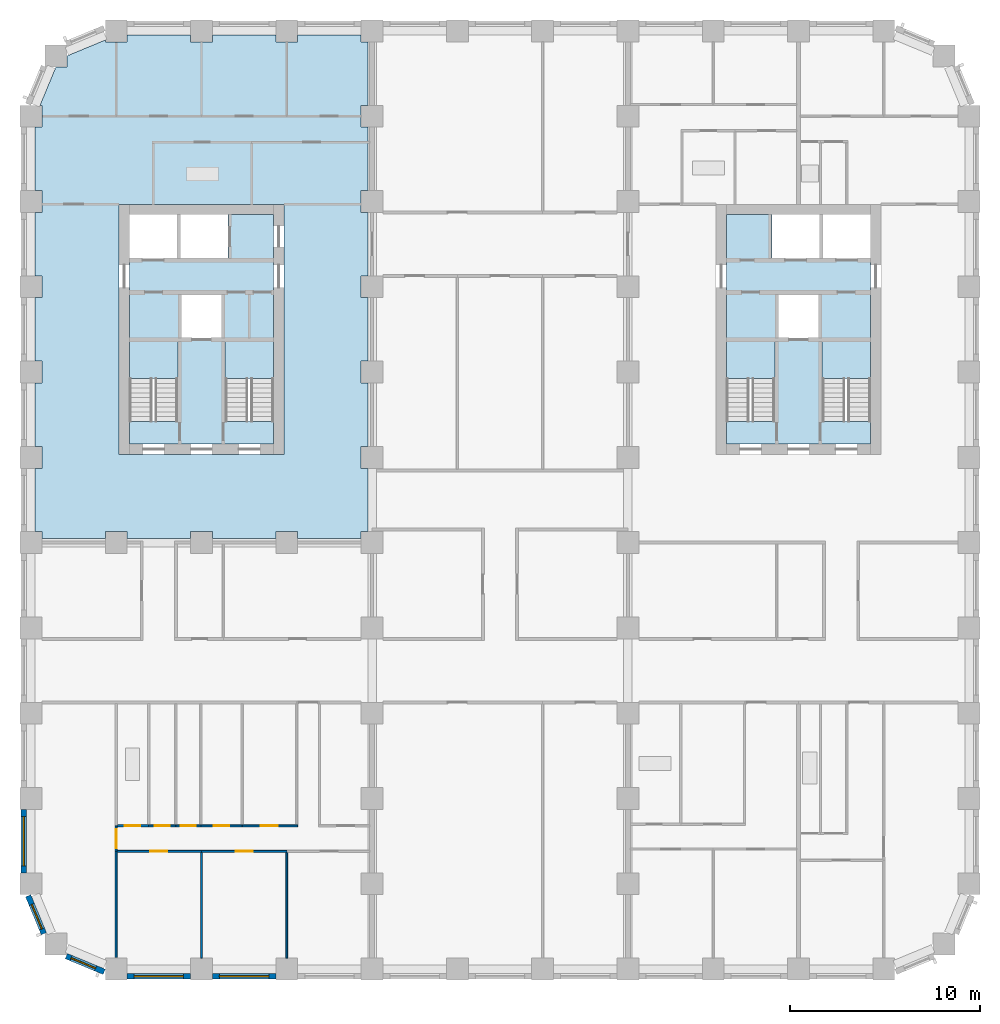
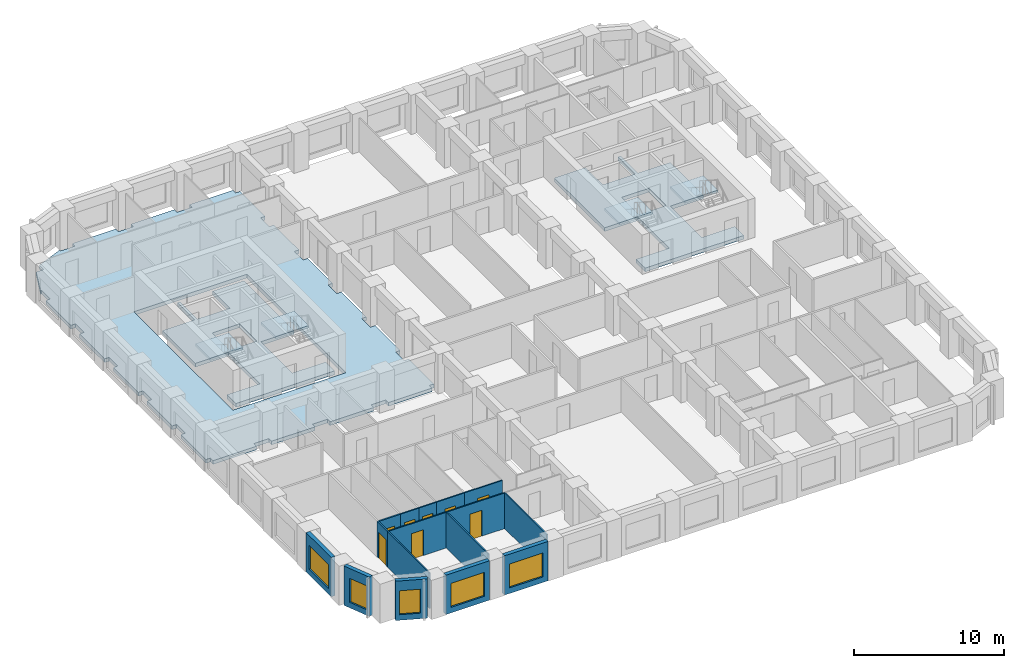
# One storey, part 2 of 13: 16 walls, 8 doors, 7 slabs, 5 windows, 13 openings, 4 elements without a shape of their own.
"""IFC4 building model written with IfcOpenShell, lengths in metres."""

import ifcopenshell
import ifcopenshell.guid

model = None  # the IFC model being written
_history = None  # IfcOwnerHistory: only IFC2X3 demands one
_inside = {}  # id of a spatial element -> (the spatial element, [elements in it])
_under = {}  # id of a project, library or spatial element -> (it, [spatial elements below it])
_declared = {}  # id of a project -> (the project, [libraries it declares])
_typed = {}  # id of a type object -> (the type object, [elements of that type])
_made_of = {}  # id of a material, layer set ... -> (it, [elements and type objects made of it])


def new_model(schema):
    """Start an empty IFC model of exactly this schema.

    Asked for "IFC4X3", IfcOpenShell would pick the latest addendum, in which some entities
    have other attributes; the version numbers below select the first issue.
    IFC2X3 requires an IfcOwnerHistory on every rooted entity: one is made here for all.
    """
    global model, _history
    if schema == "IFC4X3":
        model = ifcopenshell.file(schema_version=(4, 3, 0, 0))
    else:
        model = ifcopenshell.file(schema=schema)
    _inside.clear()
    _under.clear()
    _declared.clear()
    _typed.clear()
    _made_of.clear()
    _history = None
    if model.schema == "IFC2X3":
        org = make("IfcOrganization", Name="unknown")
        user = make(
            "IfcPersonAndOrganization",
            ThePerson=make("IfcPerson", FamilyName="unknown"),
            TheOrganization=org,
        )
        app = make(
            "IfcApplication",
            ApplicationDeveloper=org,
            Version="unknown",
            ApplicationFullName="unknown",
            ApplicationIdentifier="unknown",
        )
        _history = make(
            "IfcOwnerHistory",
            OwningUser=user,
            OwningApplication=app,
            ChangeAction="ADDED",
            CreationDate=0,
        )
    return model


def make(cls, **values):
    """One entity of the class cls with the attributes given. An attribute that is None is left unset."""
    return model.create_entity(
        cls, **{name: value for name, value in values.items() if value is not None}
    )


def rooted(cls, **values):
    """An entity with a GlobalId (a new one), such as an element, a storey or a relation."""
    return make(cls, GlobalId=ifcopenshell.guid.new(), OwnerHistory=_history, **values)


def si_unit(unit_type, name, prefix=None):
    """IfcSIUnit, for example si_unit("LENGTHUNIT", "METRE", prefix="MILLI")."""
    return make("IfcSIUnit", UnitType=unit_type, Prefix=prefix, Name=name)


def assignment(units):
    """IfcUnitAssignment: the units of a project."""
    return None if units is None else make("IfcUnitAssignment", Units=units)


def point(xyz):
    """IfcCartesianPoint."""
    return None if xyz is None else make("IfcCartesianPoint", Coordinates=xyz)


def direction(xyz):
    """IfcDirection."""
    return None if xyz is None else make("IfcDirection", DirectionRatios=xyz)


def frame(location, z_axis=None, x_axis=None):
    """IfcAxis2Placement3D, a coordinate frame: its origin and axes. An axis left out is left unset."""
    return make(
        "IfcAxis2Placement3D",
        Location=point(location),
        Axis=direction(z_axis),
        RefDirection=direction(x_axis),
    )


def frame_2d(location, x_axis=None):
    """IfcAxis2Placement2D, a coordinate frame in the plane: its origin and x axis."""
    return make(
        "IfcAxis2Placement2D", Location=point(location), RefDirection=direction(x_axis)
    )


def origin():
    """The frame at (0, 0, 0) with its axes left unset."""
    return frame((0.0, 0.0, 0.0))


def place(relative_to, where):
    """IfcLocalPlacement: puts the frame where relative to a parent placement (None: the world)."""
    return make(
        "IfcLocalPlacement", PlacementRelTo=relative_to, RelativePlacement=where
    )


def context(
    kind, dimensions, precision=None, world=None, true_north=None, identifier=None
):
    """IfcGeometricRepresentationContext, for example the 3D "Model" context."""
    return make(
        "IfcGeometricRepresentationContext",
        ContextIdentifier=identifier,
        ContextType=kind,
        CoordinateSpaceDimension=dimensions,
        Precision=precision,
        WorldCoordinateSystem=world,
        TrueNorth=true_north,
    )


def subcontext(parent, identifier, kind, view, scale=None):
    """IfcGeometricRepresentationSubContext, for example "Body" below "Model"."""
    return make(
        "IfcGeometricRepresentationSubContext",
        ContextIdentifier=identifier,
        ContextType=kind,
        ParentContext=parent,
        TargetScale=scale,
        TargetView=view,
    )


def project(units=None, contexts=None):
    """IfcProject with its units and contexts."""
    return rooted(
        "IfcProject",
        Name="project",
        RepresentationContexts=contexts,
        UnitsInContext=assignment(units),
    )


def spatial(cls, under=None, at=None, **own):
    """A site, building, storey or space (cls), placed at a placement, below another one or the project."""
    s = rooted(cls, ObjectPlacement=at, **own)
    if under is not None:
        _under.setdefault(under.id(), (under, []))[1].append(s)
    return s


def polyline(points):
    """IfcPolyline through the points."""
    return make("IfcPolyline", Points=[point(p) for p in points])


def profile(cls, at=None, kind="AREA", **sizes):
    """A parametric profile (cls). Its sizes go by their IFC names, for example OverallWidth=200.0."""
    return make(cls, ProfileType=kind, Position=at, **sizes)


def rectangle(**sizes):
    """IfcRectangleProfileDef."""
    return profile("IfcRectangleProfileDef", **sizes)


def outline(outer, holes=None, kind="AREA"):
    """IfcArbitraryClosedProfileDef: a profile drawn as a closed curve; with holes, ...WithVoids."""
    if holes is None:
        return make("IfcArbitraryClosedProfileDef", ProfileType=kind, OuterCurve=outer)
    return make(
        "IfcArbitraryProfileDefWithVoids",
        ProfileType=kind,
        OuterCurve=outer,
        InnerCurves=holes,
    )


def extrude(swept, where, along, depth):
    """IfcExtrudedAreaSolid: the profile swept, set in the frame where, extruded along a direction by depth."""
    return make(
        "IfcExtrudedAreaSolid",
        SweptArea=swept,
        Position=where,
        ExtrudedDirection=direction(along),
        Depth=depth,
    )


def shape(context_of_items, identifier, shape_type, items):
    """IfcShapeRepresentation: the items that make up one representation, for example the "Body"."""
    return make(
        "IfcShapeRepresentation",
        ContextOfItems=context_of_items,
        RepresentationIdentifier=identifier,
        RepresentationType=shape_type,
        Items=items,
    )


def material(Name=None, Category=None):
    """IfcMaterial."""
    return make("IfcMaterial", Name=Name, Category=Category)


def layer(
    of_material, thickness, ventilated=None, Name=None, Category=None, Priority=None
):
    """IfcMaterialLayer: one layer of a wall or slab, of a material (None: an air gap)."""
    return make(
        "IfcMaterialLayer",
        Material=of_material,
        LayerThickness=thickness,
        IsVentilated=ventilated,
        Name=Name,
        Category=Category,
        Priority=Priority,
    )


def layer_set(layers, Name=None):
    """IfcMaterialLayerSet."""
    return make("IfcMaterialLayerSet", MaterialLayers=layers, LayerSetName=Name)


def made_of(thing, what):
    """Note that an element or type object is made of a material, layer set ...; save() writes the relation."""
    if what is not None:
        _made_of.setdefault(what.id(), (what, []))[1].append(thing)
    return thing


def type_object(cls, material=None, **own):
    """A type object (cls), such as IfcWallType, which elements share."""
    return made_of(rooted(cls, **own), material)


def element(
    cls,
    number,
    at=None,
    inside=None,
    cuts=None,
    type_object=None,
    material=None,
    context=None,
    identifier="Body",
    shape_type=None,
    held_by="IfcProductDefinitionShape",
    body=None,
    shapes=None,
    **own,
):
    """One element of the class cls, such as IfcWall. Its Tag is "e" and its number.

    at: its placement. inside: the storey or other place that contains it. cuts: it is an
    opening in that element (IfcRelVoidsElement). A single representation is given by context,
    identifier, shape_type and body (its items); several are given by shapes. held_by: the class
    of the entity that holds the representations. save() writes the other relations.
    """
    e = rooted(cls, Tag="e%d" % number, ObjectPlacement=at, **own)
    if body is not None:
        shapes = [shape(context, identifier, shape_type, body)]
    if shapes is not None:
        e.Representation = make(held_by, Representations=shapes)
    if inside is not None:
        _inside.setdefault(inside.id(), (inside, []))[1].append(e)
    if cuts is not None:
        rooted(
            "IfcRelVoidsElement", RelatingBuildingElement=cuts, RelatedOpeningElement=e
        )
    if type_object is not None:
        _typed.setdefault(type_object.id(), (type_object, []))[1].append(e)
    return made_of(e, material)


def fill(opening, filler):
    """IfcRelFillsElement: the door or window that sits in an opening."""
    return rooted(
        "IfcRelFillsElement",
        RelatingOpeningElement=opening,
        RelatedBuildingElement=filler,
    )


def aggregate(whole, parts):
    """IfcRelAggregates: a whole, such as a stair, and the parts it consists of."""
    return rooted("IfcRelAggregates", RelatingObject=whole, RelatedObjects=parts)


def save(model, path):
    """Write the relations noted so far, then the file.

    IfcRelAggregates (storeys below a building ...), IfcRelContainedInSpatialStructure (elements
    in a storey), IfcRelDefinesByType, IfcRelAssociatesMaterial and IfcRelDeclares: one each for
    every whole, place, type object, material and project.
    """
    for whole, parts in _under.values():
        aggregate(whole, parts)
    for where, things in _inside.values():
        rooted(
            "IfcRelContainedInSpatialStructure",
            RelatedElements=things,
            RelatingStructure=where,
        )
    for kind, things in _typed.values():
        rooted("IfcRelDefinesByType", RelatedObjects=things, RelatingType=kind)
    for what, things in _made_of.values():
        rooted("IfcRelAssociatesMaterial", RelatedObjects=things, RelatingMaterial=what)
    for by, libraries in _declared.values():
        rooted("IfcRelDeclares", RelatingContext=by, RelatedDefinitions=libraries)
    model.write(path)


model = new_model("IFC4")

# Units and contexts
model_context = context("Model", 3, precision=1e-05, world=origin(), true_north=direction((0.0, 1.0)))
body_context = subcontext(model_context, "Body", "Model", "MODEL_VIEW")
ifc_project = project(units=[si_unit("LENGTHUNIT", "METRE"), si_unit("AREAUNIT", "SQUARE_METRE"), si_unit("VOLUMEUNIT", "CUBIC_METRE"), si_unit("PLANEANGLEUNIT", "RADIAN"), si_unit("MASSUNIT", "GRAM", prefix="KILO")], contexts=[model_context])

# Site, building, storey
site_placement = place(None, origin())
site = spatial("IfcSite", under=ifc_project, at=site_placement, CompositionType="ELEMENT")
building_placement = place(site_placement, origin())
building = spatial("IfcBuilding", under=site, at=building_placement, Name="Girih Gate Residences", CompositionType="ELEMENT")
storey_placement = place(building_placement, frame((0.0, 0.0, 102.39990234375)))
storey = spatial("IfcBuildingStorey", under=building, at=storey_placement, Name="L28", CompositionType="ELEMENT", Elevation=102.39990234375)

# Slabs
ifc_material_1 = material(Name="Concrete C40/50", Category="concrete")
ifc_layer_1 = layer(ifc_material_1, 0.300048828125)
ifc_layer_set_1 = layer_set([ifc_layer_1], Name="Core floor slab 300")
slab_type_1 = type_object("IfcSlabType", Name="Core floor slab 300", PredefinedType="FLOOR", material=ifc_layer_set_1)
slab_1_placement = place(storey_placement, frame((0.0, 0.0, -0.2998046875)))
element("IfcSlab", 1, at=slab_1_placement, inside=storey, type_object=slab_type_1, Name="L28 W core floor", PredefinedType="FLOOR", context=body_context, shape_type="SweptSolid", body=[
    extrude(outline(polyline([(12.800048828125, 27.699951171875), (5.199951171875, 27.699951171875), (5.199951171875, 28.900634765625), (7.75, 28.900634765625), (7.75, 33.10009765625), (5.199951171875, 33.10009765625), (5.199951171875, 37.5), (7.699951171875, 37.5), (7.699951171875, 39.800048828125), (7.89990234375, 39.800048828125), (7.89990234375, 37.5), (10.39990234375, 37.5), (10.39990234375, 39.800048828125), (12.800048828125, 39.800048828125), (12.800048828125, 33.10009765625), (10.25, 33.10009765625), (10.25, 28.900634765625), (12.800048828125, 28.900634765625), (12.800048828125, 27.699951171875)]), holes=[polyline([(7.949951171875, 33.300048828125), (10.050048828125, 33.300048828125), (10.050048828125, 35.60009765625), (7.949951171875, 35.60009765625), (7.949951171875, 33.300048828125)])]), origin(), (0.0, 0.0, 1.0), 0.2998046875),
])
slab_2_placement = place(storey_placement, frame((0.0, 0.0, -0.2998046875)))
element("IfcSlab", 2, at=slab_2_placement, inside=storey, type_object=slab_type_1, Name="L28 E core floor", PredefinedType="FLOOR", context=body_context, shape_type="SweptSolid", body=[
    extrude(outline(polyline([(44.300048828125, 27.699951171875), (36.699951171875, 27.699951171875), (36.699951171875, 28.900634765625), (39.25, 28.900634765625), (39.25, 33.10009765625), (36.699951171875, 33.10009765625), (36.699951171875, 39.800048828125), (39.10009765625, 39.800048828125), (39.10009765625, 37.5), (41.60009765625, 37.5), (41.60009765625, 39.800048828125), (41.800048828125, 39.800048828125), (41.800048828125, 37.5), (44.300048828125, 37.5), (44.300048828125, 33.10009765625), (41.75, 33.10009765625), (41.75, 28.900634765625), (44.300048828125, 28.900634765625), (44.300048828125, 27.699951171875)]), holes=[polyline([(39.449951171875, 33.300048828125), (41.550048828125, 33.300048828125), (41.550048828125, 35.60009765625), (39.449951171875, 35.60009765625), (39.449951171875, 33.300048828125)])]), origin(), (0.0, 0.0, 1.0), 0.2998046875),
])
ifc_layer_2 = layer(ifc_material_1, 0.300048828125)
ifc_layer_set_2 = layer_set([ifc_layer_2], Name="Floor slab PT 300 Concrete C40/50")
slab_type_2 = type_object("IfcSlabType", Name="Floor slab PT 300 Concrete C40/50", PredefinedType="FLOOR", material=ifc_layer_set_2)
slab_3_placement = place(storey_placement, frame((0.0, 0.0, -0.2998046875)))
element("IfcSlab", 3, at=slab_3_placement, inside=storey, type_object=slab_type_2, Name="Floor slab L28 3", PredefinedType="FLOOR", context=body_context, shape_type="SweptSolid", body=[
    extrude(outline(polyline([(0.22509765625, 26.425048828125), (0.22509765625, 23.074951171875), (0.574951171875, 23.074951171875), (0.574951171875, 22.72509765625), (3.925048828125, 22.72509765625), (3.925048828125, 23.074951171875), (5.074951171875, 23.074951171875), (5.074951171875, 22.72509765625), (8.425048828125, 22.72509765625), (8.425048828125, 23.074951171875), (9.574951171875, 23.074951171875), (9.574951171875, 22.72509765625), (12.925048828125, 22.72509765625), (12.925048828125, 23.074951171875), (14.074951171875, 23.074951171875), (14.074951171875, 22.72509765625), (17.425048828125, 22.72509765625), (17.425048828125, 23.074951171875), (17.77490234375, 23.074951171875), (17.77490234375, 26.425048828125), (17.425048828125, 26.425048828125), (17.425048828125, 27.574951171875), (17.77490234375, 27.574951171875), (17.77490234375, 30.925048828125), (17.425048828125, 30.925048828125), (17.425048828125, 32.074951171875), (17.77490234375, 32.074951171875), (17.77490234375, 35.425048828125), (17.425048828125, 35.425048828125), (17.425048828125, 36.574951171875), (17.77490234375, 36.574951171875), (17.77490234375, 39.925048828125), (17.425048828125, 39.925048828125), (17.425048828125, 41.074951171875), (17.77490234375, 41.074951171875), (17.77490234375, 44.425048828125), (17.425048828125, 44.425048828125), (17.425048828125, 45.574951171875), (17.77490234375, 45.574951171875), (17.77490234375, 48.925048828125), (17.425048828125, 48.925048828125), (17.425048828125, 49.27490234375), (14.074951171875, 49.27490234375), (14.074951171875, 48.925048828125), (12.925048828125, 48.925048828125), (12.925048828125, 49.27490234375), (9.574951171875, 49.27490234375), (9.574951171875, 48.925048828125), (8.425048828125, 48.925048828125), (8.425048828125, 49.27490234375), (5.074951171875, 49.27490234375), (5.074951171875, 48.925048828125), (3.925048828125, 48.925048828125), (3.925048828125, 49.018310546875), (1.89306640625, 48.176513671875), (1.89306640625, 47.60693359375), (1.323486328125, 47.60693359375), (0.481689453125, 45.574951171875), (0.574951171875, 45.574951171875), (0.574951171875, 44.425048828125), (0.22509765625, 44.425048828125), (0.22509765625, 41.074951171875), (0.574951171875, 41.074951171875), (0.574951171875, 39.925048828125), (0.22509765625, 39.925048828125), (0.22509765625, 36.574951171875), (0.574951171875, 36.574951171875), (0.574951171875, 35.425048828125), (0.22509765625, 35.425048828125), (0.22509765625, 32.074951171875), (0.574951171875, 32.074951171875), (0.574951171875, 30.925048828125), (0.22509765625, 30.925048828125), (0.22509765625, 27.574951171875), (0.574951171875, 27.574951171875), (0.574951171875, 26.425048828125), (0.22509765625, 26.425048828125)]), holes=[polyline([(13.35009765625, 40.35009765625), (13.35009765625, 27.14990234375), (4.64990234375, 27.14990234375), (4.64990234375, 40.35009765625), (13.35009765625, 40.35009765625)])]), origin(), (0.0, 0.0, 1.0), 0.2998046875),
])

# Stair, slab
stair_type = type_object("IfcStairType", Name="Exit stair", PredefinedType="HALF_TURN_STAIR", material=ifc_material_1)
stair_1_placement = place(storey_placement, origin())
stair_1 = element("IfcStair", 4, at=stair_1_placement, inside=storey, type_object=stair_type, Name="L28 Exit Stair ST-W1", PredefinedType="HALF_TURN_STAIR")
ifc_layer_3 = layer(ifc_material_1, 0.199951171875)
ifc_layer_set_3 = layer_set([ifc_layer_3], Name="Stair landing 200")
slab_type_3 = type_object("IfcSlabType", Name="Stair landing 200", PredefinedType="LANDING", material=ifc_layer_set_3)
slab_4_placement = place(storey_placement, frame((0.0, 0.0, 1.400146484375)))
slab_4 = element("IfcSlab", 5, at=slab_4_placement, type_object=slab_type_3, Name="ST-W1 landing 1", PredefinedType="LANDING", context=body_context, shape_type="SweptSolid", body=[
    extrude(outline(polyline([(7.75, 31.14990234375), (7.75, 33.10009765625), (5.199951171875, 33.10009765625), (5.199951171875, 31.14990234375), (7.75, 31.14990234375)])), origin(), (0.0, 0.0, 1.0), 0.199951171875),
])
aggregate(stair_1, [slab_4])

stair_2_placement = place(storey_placement, origin())
stair_2 = element("IfcStair", 6, at=stair_2_placement, inside=storey, type_object=stair_type, Name="L28 Exit Stair ST-W2", PredefinedType="HALF_TURN_STAIR")
slab_5_placement = place(storey_placement, frame((0.0, 0.0, 1.400146484375)))
slab_5 = element("IfcSlab", 7, at=slab_5_placement, type_object=slab_type_3, Name="ST-W2 landing 1", PredefinedType="LANDING", context=body_context, shape_type="SweptSolid", body=[
    extrude(outline(polyline([(12.800048828125, 31.14990234375), (12.800048828125, 33.10009765625), (10.25, 33.10009765625), (10.25, 31.14990234375), (12.800048828125, 31.14990234375)])), origin(), (0.0, 0.0, 1.0), 0.199951171875),
])
aggregate(stair_2, [slab_5])

stair_3_placement = place(storey_placement, origin())
stair_3 = element("IfcStair", 8, at=stair_3_placement, inside=storey, type_object=stair_type, Name="L28 Exit Stair ST-E1", PredefinedType="HALF_TURN_STAIR")
slab_6_placement = place(storey_placement, frame((0.0, 0.0, 1.400146484375)))
slab_6 = element("IfcSlab", 9, at=slab_6_placement, type_object=slab_type_3, Name="ST-E1 landing 1", PredefinedType="LANDING", context=body_context, shape_type="SweptSolid", body=[
    extrude(outline(polyline([(44.300048828125, 31.14990234375), (44.300048828125, 33.10009765625), (41.75, 33.10009765625), (41.75, 31.14990234375), (44.300048828125, 31.14990234375)])), origin(), (0.0, 0.0, 1.0), 0.199951171875),
])
aggregate(stair_3, [slab_6])

stair_4_placement = place(storey_placement, origin())
stair_4 = element("IfcStair", 10, at=stair_4_placement, inside=storey, type_object=stair_type, Name="L28 Exit Stair ST-E2", PredefinedType="HALF_TURN_STAIR")
slab_7_placement = place(storey_placement, frame((0.0, 0.0, 1.400146484375)))
slab_7 = element("IfcSlab", 11, at=slab_7_placement, type_object=slab_type_3, Name="ST-E2 landing 1", PredefinedType="LANDING", context=body_context, shape_type="SweptSolid", body=[
    extrude(outline(polyline([(39.25, 31.14990234375), (39.25, 33.10009765625), (36.699951171875, 33.10009765625), (36.699951171875, 31.14990234375), (39.25, 31.14990234375)])), origin(), (0.0, 0.0, 1.0), 0.199951171875),
])
aggregate(stair_4, [slab_7])

# Wall
ifc_material_2 = material(Name="Gypsum board on steel studs", Category="steel")
ifc_layer_4 = layer(ifc_material_2, 0.10009765625)
ifc_layer_set_4 = layer_set([ifc_layer_4], Name="Partition 100 mm")
wall_type_1 = type_object("IfcWallType", Name="Partition 100 mm", PredefinedType="PARTITIONING", material=ifc_layer_set_4)
wall_1_placement = place(storey_placement, frame((9.0, 0.574951171875, 0.0), z_axis=(0.0, 0.0, 1.0), x_axis=(0.0, 1.0, 0.0)))
element("IfcWall", 12, at=wall_1_placement, inside=storey, type_object=wall_type_1, Name="L28 partition", PredefinedType="PARTITIONING", context=body_context, shape_type="SweptSolid", body=[
    extrude(rectangle(XDim=5.590087890625, YDim=0.10009765625, at=frame_2d((2.794921875, 0.0))), origin(), (0.0, 0.0, 1.0), 2.900146484375),
])

# Wall, opening, door
wall_2_placement = place(storey_placement, frame((9.0, 6.215087890625, 0.0), z_axis=(0.0, 0.0, 1.0), x_axis=(-1.0, 0.0, 0.0)))
wall_2 = element("IfcWall", 13, at=wall_2_placement, inside=storey, type_object=wall_type_1, Name="L28 partition", PredefinedType="PARTITIONING", context=body_context, shape_type="SweptSolid", body=[
    extrude(rectangle(XDim=4.449951171875, YDim=0.10009765625, at=frame_2d((2.22509765625, 0.0))), origin(), (0.0, 0.0, 1.0), 2.900146484375),
])
opening_1_placement = place(wall_2_placement, frame((1.800048828125, 0.0, 0.0)))
opening_1 = element("IfcOpeningElement", 14, at=opening_1_placement, cuts=wall_2, Name="Opening A28-002", PredefinedType="OPENING", context=body_context, shape_type="SweptSolid", body=[
    extrude(rectangle(XDim=0.89990234375, YDim=2.10009765625, at=frame_2d((0.449951171875, 1.050048828125))), frame((0.0, 0.06005859375, 0.0), z_axis=(0.0, -1.0, 0.0), x_axis=(1.0, 0.0, 0.0)), (0.0, 0.0, 1.0), 0.1201171875),
])
ifc_material_3 = material(Name="Timber", Category="wood")
door_type_1 = type_object("IfcDoorType", Name="Bedroom door 900x2100", OperationType="NOTDEFINED", PredefinedType="DOOR", material=ifc_material_3)
door_1_placement = place(opening_1_placement, origin())
door_1 = element("IfcDoor", 15, at=door_1_placement, inside=storey, type_object=door_type_1, Name="Door A28-002", OperationType="SINGLE_SWING_RIGHT", OverallHeight=2.10009765625, OverallWidth=0.89990234375, PredefinedType="DOOR", context=body_context, shape_type="SweptSolid", body=[
    extrude(rectangle(XDim=0.89990234375, YDim=2.10009765625, at=frame_2d((0.449951171875, 1.050048828125))), frame((0.0, 0.02490234375, 0.0), z_axis=(0.0, -1.0, 0.0), x_axis=(1.0, 0.0, 0.0)), (0.0, 0.0, 1.0), 0.050048828125),
])
fill(opening_1, door_1)

# Walls
wall_3_placement = place(storey_placement, frame((4.5, 0.622314453125, 0.0), z_axis=(0.0, 0.0, 1.0), x_axis=(0.0, 1.0, 0.0)))
element("IfcWall", 16, at=wall_3_placement, inside=storey, type_object=wall_type_1, Name="L28 partition", PredefinedType="PARTITIONING", context=body_context, shape_type="SweptSolid", body=[
    extrude(rectangle(XDim=5.5927734375, YDim=0.10009765625, at=frame_2d((2.79638671875, 0.0))), origin(), (0.0, 0.0, 1.0), 2.900146484375),
])
wall_4_placement = place(storey_placement, frame((13.5, 0.574951171875, 0.0), z_axis=(0.0, 0.0, 1.0), x_axis=(0.0, 1.0, 0.0)))
element("IfcWall", 17, at=wall_4_placement, inside=storey, type_object=wall_type_1, Name="L28 partition", PredefinedType="PARTITIONING", context=body_context, shape_type="SweptSolid", body=[
    extrude(rectangle(XDim=5.590087890625, YDim=0.10009765625, at=frame_2d((2.794921875, 0.0))), origin(), (0.0, 0.0, 1.0), 2.900146484375),
])

# Wall, opening, door
wall_5_placement = place(storey_placement, frame((13.5, 6.215087890625, 0.0), z_axis=(0.0, 0.0, 1.0), x_axis=(-1.0, 0.0, 0.0)))
wall_5 = element("IfcWall", 18, at=wall_5_placement, inside=storey, type_object=wall_type_1, Name="L28 partition", PredefinedType="PARTITIONING", context=body_context, shape_type="SweptSolid", body=[
    extrude(rectangle(XDim=4.5, YDim=0.10009765625, at=frame_2d((2.25, 0.0))), origin(), (0.0, 0.0, 1.0), 2.900146484375),
])
opening_2_placement = place(wall_5_placement, frame((1.800048828125, 0.0, 0.0)))
opening_2 = element("IfcOpeningElement", 19, at=opening_2_placement, cuts=wall_5, Name="Opening A28-003", PredefinedType="OPENING", context=body_context, shape_type="SweptSolid", body=[
    extrude(rectangle(XDim=0.89990234375, YDim=2.10009765625, at=frame_2d((0.449951171875, 1.050048828125))), frame((0.0, 0.06005859375, 0.0), z_axis=(0.0, -1.0, 0.0), x_axis=(1.0, 0.0, 0.0)), (0.0, 0.0, 1.0), 0.1201171875),
])
door_2_placement = place(opening_2_placement, origin())
door_2 = element("IfcDoor", 20, at=door_2_placement, inside=storey, type_object=door_type_1, Name="Door A28-003", OperationType="SINGLE_SWING_LEFT", OverallHeight=2.10009765625, OverallWidth=0.89990234375, PredefinedType="DOOR", context=body_context, shape_type="SweptSolid", body=[
    extrude(rectangle(XDim=0.89990234375, YDim=2.10009765625, at=frame_2d((0.449951171875, 1.050048828125))), frame((0.0, 0.02490234375, 0.0), z_axis=(0.0, -1.0, 0.0), x_axis=(1.0, 0.0, 0.0)), (0.0, 0.0, 1.0), 0.050048828125),
])
fill(opening_2, door_2)

wall_6_placement = place(storey_placement, frame((8.96533203125, 7.554931640625, 0.0), z_axis=(0.0, 0.0, 1.0), x_axis=(1.0, 0.0, 0.0)))
wall_6 = element("IfcWall", 21, at=wall_6_placement, inside=storey, type_object=wall_type_1, Name="L28 partition", PredefinedType="PARTITIONING", context=body_context, shape_type="SweptSolid", body=[
    extrude(rectangle(XDim=2.179931640625, YDim=0.10009765625, at=frame_2d((1.08984375, 0.0))), origin(), (0.0, 0.0, 1.0), 2.900146484375),
])
opening_3_placement = place(wall_6_placement, frame((0.68994140625, 0.0, 0.0)))
opening_3 = element("IfcOpeningElement", 22, at=opening_3_placement, cuts=wall_6, Name="Opening A28-005", PredefinedType="OPENING", context=body_context, shape_type="SweptSolid", body=[
    extrude(rectangle(XDim=0.800048828125, YDim=2.10009765625, at=frame_2d((0.39990234375, 1.050048828125))), frame((0.0, 0.06005859375, 0.0), z_axis=(0.0, -1.0, 0.0), x_axis=(1.0, 0.0, 0.0)), (0.0, 0.0, 1.0), 0.1201171875),
])
door_type_2 = type_object("IfcDoorType", Name="Store door 800x2100", OperationType="NOTDEFINED", PredefinedType="DOOR", material=ifc_material_3)
door_3_placement = place(opening_3_placement, origin())
door_3 = element("IfcDoor", 23, at=door_3_placement, inside=storey, type_object=door_type_2, Name="Door A28-005", OperationType="SINGLE_SWING_RIGHT", OverallHeight=2.10009765625, OverallWidth=0.800048828125, PredefinedType="DOOR", context=body_context, shape_type="SweptSolid", body=[
    extrude(rectangle(XDim=0.800048828125, YDim=2.10009765625, at=frame_2d((0.39990234375, 1.050048828125))), frame((0.0, 0.02490234375, 0.0), z_axis=(0.0, -1.0, 0.0), x_axis=(1.0, 0.0, 0.0)), (0.0, 0.0, 1.0), 0.050048828125),
])
fill(opening_3, door_3)

wall_7_placement = place(storey_placement, frame((4.5, 6.215087890625, 0.0), z_axis=(0.0, 0.0, 1.0), x_axis=(0.0, 1.0, 0.0)))
wall_7 = element("IfcWall", 24, at=wall_7_placement, inside=storey, type_object=wall_type_1, Name="L28 partition", PredefinedType="PARTITIONING", context=body_context, shape_type="SweptSolid", body=[
    extrude(rectangle(XDim=1.33984375, YDim=0.10009765625, at=frame_2d((0.669921875, 0.0))), origin(), (0.0, 0.0, 1.0), 2.900146484375),
])
opening_4_placement = place(wall_7_placement, frame((0.169921875, 0.0, 0.0)))
opening_4 = element("IfcOpeningElement", 25, at=opening_4_placement, cuts=wall_7, Name="Opening A28-007", PredefinedType="OPENING", context=body_context, shape_type="SweptSolid", body=[
    extrude(rectangle(XDim=1.0, YDim=2.10009765625, at=frame_2d((0.5, 1.050048828125))), frame((0.0, 0.06005859375, 0.0), z_axis=(0.0, -1.0, 0.0), x_axis=(1.0, 0.0, 0.0)), (0.0, 0.0, 1.0), 0.1201171875),
])
door_type_3 = type_object("IfcDoorType", Name="Living room door 1000x2100", OperationType="NOTDEFINED", PredefinedType="DOOR", material=ifc_material_3)
door_4_placement = place(opening_4_placement, origin())
door_4 = element("IfcDoor", 26, at=door_4_placement, inside=storey, type_object=door_type_3, Name="Door A28-007", OperationType="SINGLE_SWING_RIGHT", OverallHeight=2.10009765625, OverallWidth=1.0, PredefinedType="DOOR", context=body_context, shape_type="SweptSolid", body=[
    extrude(rectangle(XDim=1.0, YDim=2.10009765625, at=frame_2d((0.5, 1.050048828125))), frame((0.0, 0.02490234375, 0.0), z_axis=(0.0, -1.0, 0.0), x_axis=(1.0, 0.0, 0.0)), (0.0, 0.0, 1.0), 0.050048828125),
])
fill(opening_4, door_4)

wall_8_placement = place(storey_placement, frame((7.64697265625, 7.554931640625, 0.0), z_axis=(0.0, 0.0, 1.0), x_axis=(1.0, 0.0, 0.0)))
wall_8 = element("IfcWall", 27, at=wall_8_placement, inside=storey, type_object=wall_type_1, Name="L28 partition", PredefinedType="PARTITIONING", context=body_context, shape_type="SweptSolid", body=[
    extrude(rectangle(XDim=1.318359375, YDim=0.10009765625, at=frame_2d((0.6591796875, 0.0))), origin(), (0.0, 0.0, 1.0), 2.900146484375),
])
opening_5_placement = place(wall_8_placement, frame((0.25927734375, 0.0, 0.0)))
opening_5 = element("IfcOpeningElement", 28, at=opening_5_placement, cuts=wall_8, Name="Opening A28-008", PredefinedType="OPENING", context=body_context, shape_type="SweptSolid", body=[
    extrude(rectangle(XDim=0.800048828125, YDim=2.10009765625, at=frame_2d((0.39990234375, 1.050048828125))), frame((0.0, 0.06005859375, 0.0), z_axis=(0.0, -1.0, 0.0), x_axis=(1.0, 0.0, 0.0)), (0.0, 0.0, 1.0), 0.1201171875),
])
door_5_placement = place(opening_5_placement, origin())
door_5 = element("IfcDoor", 29, at=door_5_placement, inside=storey, type_object=door_type_2, Name="Door A28-008", OperationType="SINGLE_SWING_RIGHT", OverallHeight=2.10009765625, OverallWidth=0.800048828125, PredefinedType="DOOR", context=body_context, shape_type="SweptSolid", body=[
    extrude(rectangle(XDim=0.800048828125, YDim=2.10009765625, at=frame_2d((0.39990234375, 1.050048828125))), frame((0.0, 0.02490234375, 0.0), z_axis=(0.0, -1.0, 0.0), x_axis=(1.0, 0.0, 0.0)), (0.0, 0.0, 1.0), 0.050048828125),
])
fill(opening_5, door_5)

wall_9_placement = place(storey_placement, frame((11.145263671875, 7.554931640625, 0.0), z_axis=(0.0, 0.0, 1.0), x_axis=(1.0, 0.0, 0.0)))
wall_9 = element("IfcWall", 30, at=wall_9_placement, inside=storey, type_object=wall_type_1, Name="L28 partition", PredefinedType="PARTITIONING", context=body_context, shape_type="SweptSolid", body=[
    extrude(rectangle(XDim=2.9296875, YDim=0.10009765625, at=frame_2d((1.46484375, 0.0))), origin(), (0.0, 0.0, 1.0), 2.900146484375),
])
opening_6_placement = place(wall_9_placement, frame((0.989990234375, 0.0, 0.0)))
opening_6 = element("IfcOpeningElement", 31, at=opening_6_placement, cuts=wall_9, Name="Opening A28-009", PredefinedType="OPENING", context=body_context, shape_type="SweptSolid", body=[
    extrude(rectangle(XDim=0.89990234375, YDim=2.10009765625, at=frame_2d((0.449951171875, 1.050048828125))), frame((0.0, 0.06005859375, 0.0), z_axis=(0.0, -1.0, 0.0), x_axis=(1.0, 0.0, 0.0)), (0.0, 0.0, 1.0), 0.1201171875),
])
door_6_placement = place(opening_6_placement, origin())
door_6 = element("IfcDoor", 32, at=door_6_placement, inside=storey, type_object=door_type_1, Name="Door A28-009", OperationType="SINGLE_SWING_LEFT", OverallHeight=2.10009765625, OverallWidth=0.89990234375, PredefinedType="DOOR", context=body_context, shape_type="SweptSolid", body=[
    extrude(rectangle(XDim=0.89990234375, YDim=2.10009765625, at=frame_2d((0.449951171875, 1.050048828125))), frame((0.0, 0.02490234375, 0.0), z_axis=(0.0, -1.0, 0.0), x_axis=(1.0, 0.0, 0.0)), (0.0, 0.0, 1.0), 0.050048828125),
])
fill(opening_6, door_6)

wall_10_placement = place(storey_placement, frame((6.21728515625, 7.554931640625, 0.0), z_axis=(0.0, 0.0, 1.0), x_axis=(1.0, 0.0, 0.0)))
wall_10 = element("IfcWall", 33, at=wall_10_placement, inside=storey, type_object=wall_type_1, Name="L28 partition", PredefinedType="PARTITIONING", context=body_context, shape_type="SweptSolid", body=[
    extrude(rectangle(XDim=1.4296875, YDim=0.10009765625, at=frame_2d((0.71484375, 0.0))), origin(), (0.0, 0.0, 1.0), 2.900146484375),
])
opening_7_placement = place(wall_10_placement, frame((0.314697265625, 0.0, 0.0)))
opening_7 = element("IfcOpeningElement", 34, at=opening_7_placement, cuts=wall_10, Name="Opening A28-010", PredefinedType="OPENING", context=body_context, shape_type="SweptSolid", body=[
    extrude(rectangle(XDim=0.800048828125, YDim=2.10009765625, at=frame_2d((0.39990234375, 1.050048828125))), frame((0.0, 0.06005859375, 0.0), z_axis=(0.0, -1.0, 0.0), x_axis=(1.0, 0.0, 0.0)), (0.0, 0.0, 1.0), 0.1201171875),
])
door_7_placement = place(opening_7_placement, origin())
door_7 = element("IfcDoor", 35, at=door_7_placement, inside=storey, type_object=door_type_2, Name="Door A28-010", OperationType="SINGLE_SWING_RIGHT", OverallHeight=2.10009765625, OverallWidth=0.800048828125, PredefinedType="DOOR", context=body_context, shape_type="SweptSolid", body=[
    extrude(rectangle(XDim=0.800048828125, YDim=2.10009765625, at=frame_2d((0.39990234375, 1.050048828125))), frame((0.0, 0.02490234375, 0.0), z_axis=(0.0, -1.0, 0.0), x_axis=(1.0, 0.0, 0.0)), (0.0, 0.0, 1.0), 0.050048828125),
])
fill(opening_7, door_7)

# Wall, opening, window
ifc_material_4 = material(Name="Precast concrete C50/60", Category="concrete")
ifc_layer_5 = layer(ifc_material_4, 0.080078125, Name="Outer leaf")
ifc_material_5 = material(Name="Rigid PIR insulation")
ifc_layer_6 = layer(ifc_material_5, 0.14990234375, Name="Insulation")
ifc_material_6 = material(Name="Precast concrete C40/50", Category="concrete")
ifc_layer_7 = layer(ifc_material_6, 0.070068359375, Name="Inner leaf")
ifc_layer_set_5 = layer_set([ifc_layer_5, ifc_layer_6, ifc_layer_7], Name="Precast concrete C50/60 external wall 300")
wall_type_2 = type_object("IfcWallType", Name="Precast concrete C50/60 external wall 300", PredefinedType="SOLIDWALL", material=ifc_layer_set_5)
wall_11_placement = place(storey_placement, frame((0.68408203125, 1.86865234375, 0.0), z_axis=(0.0, 0.0, 1.0), x_axis=(-0.382723818695, 0.923862802911, 0.0)))
wall_11 = element("IfcWall", 36, at=wall_11_placement, inside=storey, type_object=wall_type_2, Name="External wall SW0000_0045.0", PredefinedType="SOLIDWALL", context=body_context, shape_type="SweptSolid", body=[
    extrude(rectangle(XDim=2.163818359375, YDim=0.300048828125, at=frame_2d((1.08203125, 0.0))), origin(), (0.0, 0.0, 1.0), 3.2001953125),
])
opening_8_placement = place(wall_11_placement, frame((0.270751953125, 0.0, 0.449951171875)))
opening_8 = element("IfcOpeningElement", 37, at=opening_8_placement, cuts=wall_11, Name="Opening W-2D", PredefinedType="OPENING", context=body_context, shape_type="SweptSolid", body=[
    extrude(rectangle(XDim=1.39990234375, YDim=1.949951171875, at=frame_2d((0.699951171875, 0.97509765625))), frame((0.0, 0.159912109375, 0.0), z_axis=(0.0, -1.0, 0.0), x_axis=(1.0, 0.0, 0.0)), (0.0, 0.0, 1.0), 0.320068359375),
])
ifc_material_7 = material(Name="Double glazing in aluminium frame", Category="aluminium")
window_type_1 = type_object("IfcWindowType", Name="Window W-2D 1400x1950", PartitioningType="SINGLE_PANEL", PredefinedType="WINDOW", material=ifc_material_7)
window_1_placement = place(opening_8_placement, origin())
window_1 = element("IfcWindow", 38, at=window_1_placement, inside=storey, type_object=window_type_1, Name="Window W-2D SW0000_0045.0", OverallHeight=1.949951171875, OverallWidth=1.39990234375, PartitioningType="SINGLE_PANEL", PredefinedType="WINDOW", context=body_context, shape_type="SweptSolid", body=[
    extrude(rectangle(XDim=1.39990234375, YDim=1.949951171875, at=frame_2d((0.699951171875, 0.97509765625))), frame((0.0, 0.030029296875, 0.0), z_axis=(0.0, -1.0, 0.0), x_axis=(1.0, 0.0, 0.0)), (0.0, 0.0, 1.0), 0.06005859375),
])
fill(opening_8, window_1)

wall_12_placement = place(storey_placement, frame((3.86767578125, -0.14404296875, 0.0), z_axis=(0.0, 0.0, 1.0), x_axis=(-0.923862802911, 0.382723818695, 0.0)))
wall_12 = element("IfcWall", 39, at=wall_12_placement, inside=storey, type_object=wall_type_2, Name="External wall SW0013_0013.0", PredefinedType="SOLIDWALL", context=body_context, shape_type="SweptSolid", body=[
    extrude(rectangle(XDim=2.163818359375, YDim=0.300048828125, at=frame_2d((1.08203125, 0.0))), origin(), (0.0, 0.0, 1.0), 3.2001953125),
])
opening_9_placement = place(wall_12_placement, frame((0.492919921875, 0.0, 0.449951171875)))
opening_9 = element("IfcOpeningElement", 40, at=opening_9_placement, cuts=wall_12, Name="Opening W-2D", PredefinedType="OPENING", context=body_context, shape_type="SweptSolid", body=[
    extrude(rectangle(XDim=1.39990234375, YDim=1.949951171875, at=frame_2d((0.699951171875, 0.97509765625))), frame((0.0, 0.159912109375, 0.0), z_axis=(0.0, -1.0, 0.0), x_axis=(1.0, 0.0, 0.0)), (0.0, 0.0, 1.0), 0.320068359375),
])
window_2_placement = place(opening_9_placement, origin())
window_2 = element("IfcWindow", 41, at=window_2_placement, inside=storey, type_object=window_type_1, Name="Window W-2D SW0013_0013.0", OverallHeight=1.949951171875, OverallWidth=1.39990234375, PartitioningType="SINGLE_PANEL", PredefinedType="WINDOW", context=body_context, shape_type="SweptSolid", body=[
    extrude(rectangle(XDim=1.39990234375, YDim=1.949951171875, at=frame_2d((0.699951171875, 0.97509765625))), frame((0.0, 0.030029296875, 0.0), z_axis=(0.0, -1.0, 0.0), x_axis=(1.0, 0.0, 0.0)), (0.0, 0.0, 1.0), 0.06005859375),
])
fill(opening_9, window_2)

wall_13_placement = place(storey_placement, frame((8.425048828125, -0.375, 0.0), z_axis=(0.0, 0.0, 1.0), x_axis=(-1.0, 0.0, 0.0)))
wall_13 = element("IfcWall", 42, at=wall_13_placement, inside=storey, type_object=wall_type_2, Name="External wall S0045_0000.0", PredefinedType="SOLIDWALL", context=body_context, shape_type="SweptSolid", body=[
    extrude(rectangle(XDim=3.35009765625, YDim=0.300048828125, at=frame_2d((1.675048828125, 0.0))), origin(), (0.0, 0.0, 1.0), 3.2001953125),
])
opening_10_placement = place(wall_13_placement, frame((0.375, 0.0, 0.449951171875)))
opening_10 = element("IfcOpeningElement", 43, at=opening_10_placement, cuts=wall_13, Name="Opening W-1A", PredefinedType="OPENING", context=body_context, shape_type="SweptSolid", body=[
    extrude(rectangle(XDim=2.60009765625, YDim=1.949951171875, at=frame_2d((1.300048828125, 0.97509765625))), frame((0.0, 0.159912109375, 0.0), z_axis=(0.0, -1.0, 0.0), x_axis=(1.0, 0.0, 0.0)), (0.0, 0.0, 1.0), 0.320068359375),
])
window_type_2 = type_object("IfcWindowType", Name="Window W-1A 2600x1950", PartitioningType="SINGLE_PANEL", PredefinedType="WINDOW", material=ifc_material_7)
window_3_placement = place(opening_10_placement, origin())
window_3 = element("IfcWindow", 44, at=window_3_placement, inside=storey, type_object=window_type_2, Name="Window W-1A S0045_0000.0", OverallHeight=1.949951171875, OverallWidth=2.60009765625, PartitioningType="SINGLE_PANEL", PredefinedType="WINDOW", context=body_context, shape_type="SweptSolid", body=[
    extrude(rectangle(XDim=2.60009765625, YDim=1.949951171875, at=frame_2d((1.300048828125, 0.97509765625))), frame((0.0, 0.030029296875, 0.0), z_axis=(0.0, -1.0, 0.0), x_axis=(1.0, 0.0, 0.0)), (0.0, 0.0, 1.0), 0.06005859375),
])
fill(opening_10, window_3)

wall_14_placement = place(storey_placement, frame((12.925048828125, -0.375, 0.0), z_axis=(0.0, 0.0, 1.0), x_axis=(-1.0, 0.0, 0.0)))
wall_14 = element("IfcWall", 45, at=wall_14_placement, inside=storey, type_object=wall_type_2, Name="External wall S0045_0000.1", PredefinedType="SOLIDWALL", context=body_context, shape_type="SweptSolid", body=[
    extrude(rectangle(XDim=3.35009765625, YDim=0.300048828125, at=frame_2d((1.675048828125, 0.0))), origin(), (0.0, 0.0, 1.0), 3.2001953125),
])
opening_11_placement = place(wall_14_placement, frame((0.375, 0.0, 0.449951171875)))
opening_11 = element("IfcOpeningElement", 46, at=opening_11_placement, cuts=wall_14, Name="Opening W-1A", PredefinedType="OPENING", context=body_context, shape_type="SweptSolid", body=[
    extrude(rectangle(XDim=2.60009765625, YDim=1.949951171875, at=frame_2d((1.300048828125, 0.97509765625))), frame((0.0, 0.159912109375, 0.0), z_axis=(0.0, -1.0, 0.0), x_axis=(1.0, 0.0, 0.0)), (0.0, 0.0, 1.0), 0.320068359375),
])
window_4_placement = place(opening_11_placement, origin())
window_4 = element("IfcWindow", 47, at=window_4_placement, inside=storey, type_object=window_type_2, Name="Window W-1A S0045_0000.1", OverallHeight=1.949951171875, OverallWidth=2.60009765625, PartitioningType="SINGLE_PANEL", PredefinedType="WINDOW", context=body_context, shape_type="SweptSolid", body=[
    extrude(rectangle(XDim=2.60009765625, YDim=1.949951171875, at=frame_2d((1.300048828125, 0.97509765625))), frame((0.0, 0.030029296875, 0.0), z_axis=(0.0, -1.0, 0.0), x_axis=(1.0, 0.0, 0.0)), (0.0, 0.0, 1.0), 0.06005859375),
])
fill(opening_11, window_4)

wall_15_placement = place(storey_placement, frame((-0.375, 5.074951171875, 0.0), z_axis=(0.0, 0.0, 1.0), x_axis=(0.0, 1.0, 0.0)))
wall_15 = element("IfcWall", 48, at=wall_15_placement, inside=storey, type_object=wall_type_2, Name="External wall W0000_0450.8", PredefinedType="SOLIDWALL", context=body_context, shape_type="SweptSolid", body=[
    extrude(rectangle(XDim=3.35009765625, YDim=0.300048828125, at=frame_2d((1.675048828125, 0.0))), origin(), (0.0, 0.0, 1.0), 3.2001953125),
])
opening_12_placement = place(wall_15_placement, frame((0.375, 0.0, 0.449951171875)))
opening_12 = element("IfcOpeningElement", 49, at=opening_12_placement, cuts=wall_15, Name="Opening W-1A", PredefinedType="OPENING", context=body_context, shape_type="SweptSolid", body=[
    extrude(rectangle(XDim=2.60009765625, YDim=1.949951171875, at=frame_2d((1.300048828125, 0.97509765625))), frame((0.0, 0.159912109375, 0.0), z_axis=(0.0, -1.0, 0.0), x_axis=(1.0, 0.0, 0.0)), (0.0, 0.0, 1.0), 0.320068359375),
])
window_5_placement = place(opening_12_placement, origin())
window_5 = element("IfcWindow", 50, at=window_5_placement, inside=storey, type_object=window_type_2, Name="Window W-1A W0000_0450.8", OverallHeight=1.949951171875, OverallWidth=2.60009765625, PartitioningType="SINGLE_PANEL", PredefinedType="WINDOW", context=body_context, shape_type="SweptSolid", body=[
    extrude(rectangle(XDim=2.60009765625, YDim=1.949951171875, at=frame_2d((1.300048828125, 0.97509765625))), frame((0.0, 0.030029296875, 0.0), z_axis=(0.0, -1.0, 0.0), x_axis=(1.0, 0.0, 0.0)), (0.0, 0.0, 1.0), 0.06005859375),
])
fill(opening_12, window_5)

# Wall, opening, door
ifc_layer_8 = layer(ifc_material_2, 0.125)
ifc_layer_set_6 = layer_set([ifc_layer_8], Name="Wet room wall 125 mm")
wall_type_3 = type_object("IfcWallType", Name="Wet room wall 125 mm", PredefinedType="PARTITIONING", material=ifc_layer_set_6)
wall_16_placement = place(storey_placement, frame((4.5625, 7.554931640625, 0.0), z_axis=(0.0, 0.0, 1.0), x_axis=(1.0, 0.0, 0.0)))
wall_16 = element("IfcWall", 51, at=wall_16_placement, inside=storey, type_object=wall_type_3, Name="L28 partition", PredefinedType="PARTITIONING", context=body_context, shape_type="SweptSolid", body=[
    extrude(rectangle(XDim=1.65478515625, YDim=0.125, at=frame_2d((0.827392578125, 0.0))), origin(), (0.0, 0.0, 1.0), 2.900146484375),
])
opening_13_placement = place(wall_16_placement, frame((0.396240234375, 0.0, 0.0)))
opening_13 = element("IfcOpeningElement", 52, at=opening_13_placement, cuts=wall_16, Name="Opening A28-001", PredefinedType="OPENING", context=body_context, shape_type="SweptSolid", body=[
    extrude(rectangle(XDim=0.800048828125, YDim=2.10009765625, at=frame_2d((0.39990234375, 1.050048828125))), frame((0.0, 0.072509765625, 0.0), z_axis=(0.0, -1.0, 0.0), x_axis=(1.0, 0.0, 0.0)), (0.0, 0.0, 1.0), 0.14501953125),
])
door_type_4 = type_object("IfcDoorType", Name="Bathroom door 800x2100", OperationType="NOTDEFINED", PredefinedType="DOOR", material=ifc_material_3)
door_8_placement = place(opening_13_placement, origin())
door_8 = element("IfcDoor", 53, at=door_8_placement, inside=storey, type_object=door_type_4, Name="Door A28-001", OperationType="SINGLE_SWING_LEFT", OverallHeight=2.10009765625, OverallWidth=0.800048828125, PredefinedType="DOOR", context=body_context, shape_type="SweptSolid", body=[
    extrude(rectangle(XDim=0.800048828125, YDim=2.10009765625, at=frame_2d((0.39990234375, 1.050048828125))), frame((0.0, 0.02490234375, 0.0), z_axis=(0.0, -1.0, 0.0), x_axis=(1.0, 0.0, 0.0)), (0.0, 0.0, 1.0), 0.050048828125),
])
fill(opening_13, door_8)

save(model, "model.ifc")
